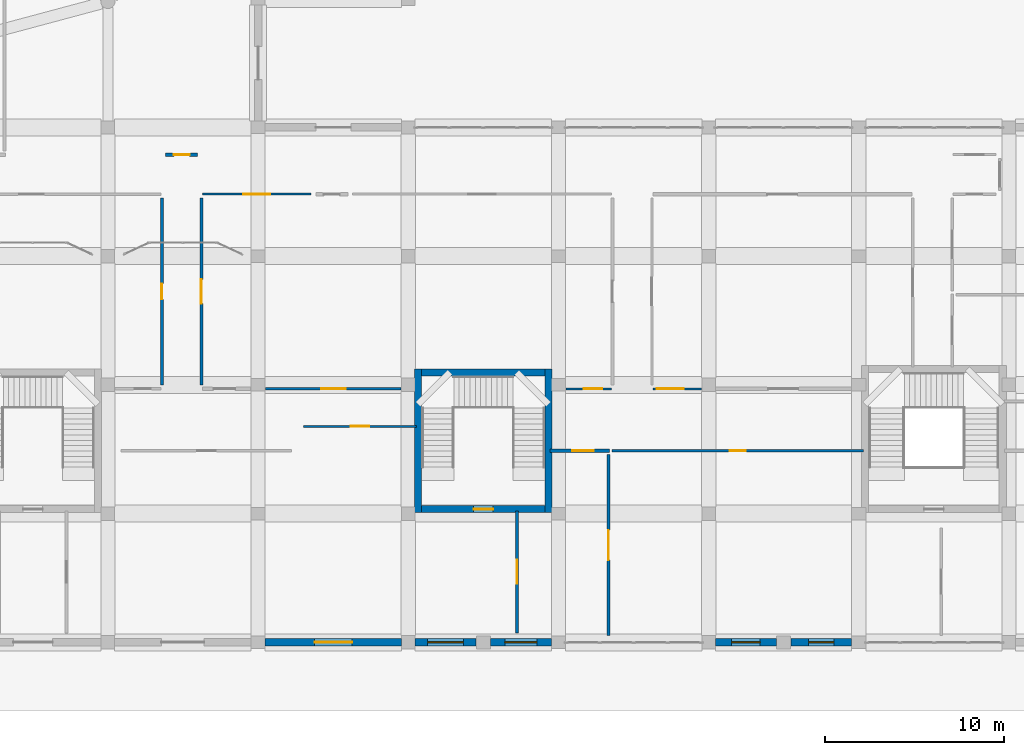
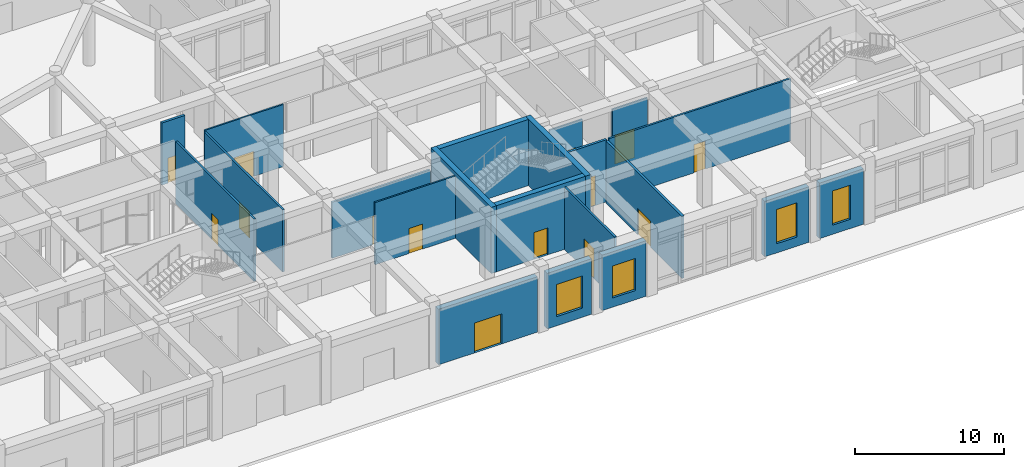
# One storey, part 67 of 84: 21 walls, 14 doors, 4 windows, 18 openings.
"""IFC4 building model written with IfcOpenShell, lengths in metres."""

import ifcopenshell
import ifcopenshell.guid

model = None  # the IFC model being written
_history = None  # IfcOwnerHistory: only IFC2X3 demands one
_inside = {}  # id of a spatial element -> (the spatial element, [elements in it])
_under = {}  # id of a project, library or spatial element -> (it, [spatial elements below it])
_declared = {}  # id of a project -> (the project, [libraries it declares])
_typed = {}  # id of a type object -> (the type object, [elements of that type])
_made_of = {}  # id of a material, layer set ... -> (it, [elements and type objects made of it])


def new_model(schema):
    """Start an empty IFC model of exactly this schema.

    Asked for "IFC4X3", IfcOpenShell would pick the latest addendum, in which some entities
    have other attributes; the version numbers below select the first issue.
    IFC2X3 requires an IfcOwnerHistory on every rooted entity: one is made here for all.
    """
    global model, _history
    if schema == "IFC4X3":
        model = ifcopenshell.file(schema_version=(4, 3, 0, 0))
    else:
        model = ifcopenshell.file(schema=schema)
    _inside.clear()
    _under.clear()
    _declared.clear()
    _typed.clear()
    _made_of.clear()
    _history = None
    if model.schema == "IFC2X3":
        org = make("IfcOrganization", Name="unknown")
        user = make(
            "IfcPersonAndOrganization",
            ThePerson=make("IfcPerson", FamilyName="unknown"),
            TheOrganization=org,
        )
        app = make(
            "IfcApplication",
            ApplicationDeveloper=org,
            Version="unknown",
            ApplicationFullName="unknown",
            ApplicationIdentifier="unknown",
        )
        _history = make(
            "IfcOwnerHistory",
            OwningUser=user,
            OwningApplication=app,
            ChangeAction="ADDED",
            CreationDate=0,
        )
    return model


def make(cls, **values):
    """One entity of the class cls with the attributes given. An attribute that is None is left unset."""
    return model.create_entity(
        cls, **{name: value for name, value in values.items() if value is not None}
    )


def rooted(cls, **values):
    """An entity with a GlobalId (a new one), such as an element, a storey or a relation."""
    return make(cls, GlobalId=ifcopenshell.guid.new(), OwnerHistory=_history, **values)


def si_unit(unit_type, name, prefix=None):
    """IfcSIUnit, for example si_unit("LENGTHUNIT", "METRE", prefix="MILLI")."""
    return make("IfcSIUnit", UnitType=unit_type, Prefix=prefix, Name=name)


def derived_unit(unit_type, elements):
    """IfcDerivedUnit: a product of units, each with its exponent."""
    return make(
        "IfcDerivedUnit",
        Elements=[
            make("IfcDerivedUnitElement", Unit=unit, Exponent=power)
            for unit, power in elements
        ],
        UnitType=unit_type,
    )


def assignment(units):
    """IfcUnitAssignment: the units of a project."""
    return None if units is None else make("IfcUnitAssignment", Units=units)


def point(xyz):
    """IfcCartesianPoint."""
    return None if xyz is None else make("IfcCartesianPoint", Coordinates=xyz)


def direction(xyz):
    """IfcDirection."""
    return None if xyz is None else make("IfcDirection", DirectionRatios=xyz)


def frame(location, z_axis=None, x_axis=None):
    """IfcAxis2Placement3D, a coordinate frame: its origin and axes. An axis left out is left unset."""
    return make(
        "IfcAxis2Placement3D",
        Location=point(location),
        Axis=direction(z_axis),
        RefDirection=direction(x_axis),
    )


def frame_2d(location, x_axis=None):
    """IfcAxis2Placement2D, a coordinate frame in the plane: its origin and x axis."""
    return make(
        "IfcAxis2Placement2D", Location=point(location), RefDirection=direction(x_axis)
    )


def origin():
    """The frame at (0, 0, 0) with its axes left unset."""
    return frame((0.0, 0.0, 0.0))


def place(relative_to, where):
    """IfcLocalPlacement: puts the frame where relative to a parent placement (None: the world)."""
    return make(
        "IfcLocalPlacement", PlacementRelTo=relative_to, RelativePlacement=where
    )


def context(
    kind, dimensions, precision=None, world=None, true_north=None, identifier=None
):
    """IfcGeometricRepresentationContext, for example the 3D "Model" context."""
    return make(
        "IfcGeometricRepresentationContext",
        ContextIdentifier=identifier,
        ContextType=kind,
        CoordinateSpaceDimension=dimensions,
        Precision=precision,
        WorldCoordinateSystem=world,
        TrueNorth=true_north,
    )


def subcontext(parent, identifier, kind, view, scale=None):
    """IfcGeometricRepresentationSubContext, for example "Body" below "Model"."""
    return make(
        "IfcGeometricRepresentationSubContext",
        ContextIdentifier=identifier,
        ContextType=kind,
        ParentContext=parent,
        TargetScale=scale,
        TargetView=view,
    )


def project(units=None, contexts=None):
    """IfcProject with its units and contexts."""
    return rooted(
        "IfcProject",
        Name="project",
        RepresentationContexts=contexts,
        UnitsInContext=assignment(units),
    )


def spatial(cls, under=None, at=None, **own):
    """A site, building, storey or space (cls), placed at a placement, below another one or the project."""
    s = rooted(cls, ObjectPlacement=at, **own)
    if under is not None:
        _under.setdefault(under.id(), (under, []))[1].append(s)
    return s


def profile(cls, at=None, kind="AREA", **sizes):
    """A parametric profile (cls). Its sizes go by their IFC names, for example OverallWidth=200.0."""
    return make(cls, ProfileType=kind, Position=at, **sizes)


def rectangle(**sizes):
    """IfcRectangleProfileDef."""
    return profile("IfcRectangleProfileDef", **sizes)


def extrude(swept, where, along, depth):
    """IfcExtrudedAreaSolid: the profile swept, set in the frame where, extruded along a direction by depth."""
    return make(
        "IfcExtrudedAreaSolid",
        SweptArea=swept,
        Position=where,
        ExtrudedDirection=direction(along),
        Depth=depth,
    )


def shape(context_of_items, identifier, shape_type, items):
    """IfcShapeRepresentation: the items that make up one representation, for example the "Body"."""
    return make(
        "IfcShapeRepresentation",
        ContextOfItems=context_of_items,
        RepresentationIdentifier=identifier,
        RepresentationType=shape_type,
        Items=items,
    )


def material(Name=None, Category=None):
    """IfcMaterial."""
    return make("IfcMaterial", Name=Name, Category=Category)


def layer(
    of_material, thickness, ventilated=None, Name=None, Category=None, Priority=None
):
    """IfcMaterialLayer: one layer of a wall or slab, of a material (None: an air gap)."""
    return make(
        "IfcMaterialLayer",
        Material=of_material,
        LayerThickness=thickness,
        IsVentilated=ventilated,
        Name=Name,
        Category=Category,
        Priority=Priority,
    )


def layer_set(layers, Name=None):
    """IfcMaterialLayerSet."""
    return make("IfcMaterialLayerSet", MaterialLayers=layers, LayerSetName=Name)


def made_of(thing, what):
    """Note that an element or type object is made of a material, layer set ...; save() writes the relation."""
    if what is not None:
        _made_of.setdefault(what.id(), (what, []))[1].append(thing)
    return thing


def type_object(cls, material=None, **own):
    """A type object (cls), such as IfcWallType, which elements share."""
    return made_of(rooted(cls, **own), material)


def element(
    cls,
    number,
    at=None,
    inside=None,
    cuts=None,
    type_object=None,
    material=None,
    context=None,
    identifier="Body",
    shape_type=None,
    held_by="IfcProductDefinitionShape",
    body=None,
    shapes=None,
    **own,
):
    """One element of the class cls, such as IfcWall. Its Tag is "e" and its number.

    at: its placement. inside: the storey or other place that contains it. cuts: it is an
    opening in that element (IfcRelVoidsElement). A single representation is given by context,
    identifier, shape_type and body (its items); several are given by shapes. held_by: the class
    of the entity that holds the representations. save() writes the other relations.
    """
    e = rooted(cls, Tag="e%d" % number, ObjectPlacement=at, **own)
    if body is not None:
        shapes = [shape(context, identifier, shape_type, body)]
    if shapes is not None:
        e.Representation = make(held_by, Representations=shapes)
    if inside is not None:
        _inside.setdefault(inside.id(), (inside, []))[1].append(e)
    if cuts is not None:
        rooted(
            "IfcRelVoidsElement", RelatingBuildingElement=cuts, RelatedOpeningElement=e
        )
    if type_object is not None:
        _typed.setdefault(type_object.id(), (type_object, []))[1].append(e)
    return made_of(e, material)


def fill(opening, filler):
    """IfcRelFillsElement: the door or window that sits in an opening."""
    return rooted(
        "IfcRelFillsElement",
        RelatingOpeningElement=opening,
        RelatedBuildingElement=filler,
    )


def aggregate(whole, parts):
    """IfcRelAggregates: a whole, such as a stair, and the parts it consists of."""
    return rooted("IfcRelAggregates", RelatingObject=whole, RelatedObjects=parts)


def save(model, path):
    """Write the relations noted so far, then the file.

    IfcRelAggregates (storeys below a building ...), IfcRelContainedInSpatialStructure (elements
    in a storey), IfcRelDefinesByType, IfcRelAssociatesMaterial and IfcRelDeclares: one each for
    every whole, place, type object, material and project.
    """
    for whole, parts in _under.values():
        aggregate(whole, parts)
    for where, things in _inside.values():
        rooted(
            "IfcRelContainedInSpatialStructure",
            RelatedElements=things,
            RelatingStructure=where,
        )
    for kind, things in _typed.values():
        rooted("IfcRelDefinesByType", RelatedObjects=things, RelatingType=kind)
    for what, things in _made_of.values():
        rooted("IfcRelAssociatesMaterial", RelatedObjects=things, RelatingMaterial=what)
    for by, libraries in _declared.values():
        rooted("IfcRelDeclares", RelatingContext=by, RelatedDefinitions=libraries)
    model.write(path)


model = new_model("IFC4")

# Units and contexts
model_context = context("Model", 3, precision=1e-05, world=origin(), true_north=direction((0.0, 1.0)))
body_context = subcontext(model_context, "Body", "Model", "MODEL_VIEW")
ifc_project = project(units=[si_unit("LENGTHUNIT", "METRE"), si_unit("AREAUNIT", "SQUARE_METRE"), si_unit("VOLUMEUNIT", "CUBIC_METRE"), si_unit("PLANEANGLEUNIT", "RADIAN"), si_unit("MASSUNIT", "GRAM", prefix="KILO"), derived_unit("THERMALTRANSMITTANCEUNIT", [(si_unit("POWERUNIT", "WATT"), 1), (si_unit("LENGTHUNIT", "METRE"), -2), (si_unit("THERMODYNAMICTEMPERATUREUNIT", "KELVIN"), -1)])], contexts=[model_context])

# Site, building, storey
site_placement = place(None, origin())
site = spatial("IfcSite", under=ifc_project, at=site_placement, CompositionType="ELEMENT")
building_placement = place(site_placement, origin())
building = spatial("IfcBuilding", under=site, at=building_placement, Name="Veybourne Emporium", CompositionType="ELEMENT")
storey_placement = place(building_placement, origin())
storey = spatial("IfcBuildingStorey", under=building, at=storey_placement, Name="L00", CompositionType="ELEMENT", Elevation=0.0)

# Wall, opening, door
ifc_material_1 = material(Name="Honed Black Granite Plinth", Category="masonry")
ifc_layer_1 = layer(ifc_material_1, 0.419921875)
ifc_layer_set_1 = layer_set([ifc_layer_1], Name="Honed Black Granite Plinth")
wall_type_1 = type_object("IfcWallType", Name="ExtWall_EW-02", PredefinedType="SOLIDWALL", material=ifc_layer_set_1)
wall_1_placement = place(storey_placement, frame((100.425048828125, 0.0, 0.0), z_axis=(0.0, 0.0, 1.0), x_axis=(-1.0, 0.0, 0.0)))
wall_1 = element("IfcWall", 1, at=wall_1_placement, inside=storey, type_object=wall_type_1, Name="Ground street granite plinth entrance wall 040", PredefinedType="SOLIDWALL", context=body_context, shape_type="SweptSolid", body=[
    extrude(rectangle(XDim=7.625, YDim=0.419921875, at=frame_2d((3.8125, 0.0))), origin(), (0.0, 0.0, 1.0), 4.530029296875),
])
opening_1_placement = place(wall_1_placement, frame((2.762451171875, 0.0, 0.0)))
opening_1 = element("IfcOpeningElement", 2, at=opening_1_placement, cuts=wall_1, Name="Opening EX-05", PredefinedType="OPENING", context=body_context, shape_type="SweptSolid", body=[
    extrude(rectangle(XDim=2.10009765625, YDim=2.449951171875, at=frame_2d((1.050048828125, 1.22509765625))), frame((0.0, 0.22998046875, 0.0), z_axis=(0.0, -1.0, 0.0), x_axis=(1.0, 0.0, 0.0)), (0.0, 0.0, 1.0), 0.4599609375),
])
ifc_material_2 = material(Name="Patinated Architectural Bronze", Category="bronze")
door_type_1 = type_object("IfcDoorType", Name="ExitDoor_EX-05", OperationType="DOUBLE_DOOR_SINGLE_SWING", PredefinedType="DOOR", material=ifc_material_2)
door_1_placement = place(opening_1_placement, origin())
door_1 = element("IfcDoor", 3, at=door_1_placement, inside=storey, type_object=door_type_1, Name="Pedestrian final exit door EX-05 #22", OperationType="DOUBLE_DOOR_SINGLE_SWING", OverallHeight=2.449951171875, OverallWidth=2.10009765625, PredefinedType="DOOR", context=body_context, shape_type="SweptSolid", body=[
    extrude(rectangle(XDim=2.10009765625, YDim=2.449951171875, at=frame_2d((1.050048828125, 1.22509765625))), frame((0.0, 0.02490234375, 0.0), z_axis=(0.0, -1.0, 0.0), x_axis=(1.0, 0.0, 0.0)), (0.0, 0.0, 1.0), 0.050048828125),
])
fill(opening_1, door_1)

# Wall, opening, window
wall_2_placement = place(storey_placement, frame((108.800048828125, 0.0, 0.0), z_axis=(0.0, 0.0, 1.0), x_axis=(-1.0, 0.0, 0.0)))
wall_2 = element("IfcWall", 4, at=wall_2_placement, inside=storey, type_object=wall_type_1, Name="L00 Portland stone external wall 053A", PredefinedType="SOLIDWALL", context=body_context, shape_type="SweptSolid", body=[
    extrude(rectangle(XDim=3.400146484375, YDim=0.419921875, at=frame_2d((1.7001953125, 0.0))), origin(), (0.0, 0.0, 1.0), 4.530029296875),
])
opening_2_placement = place(wall_2_placement, frame((0.800048828125, 0.0, 0.75)))
opening_2 = element("IfcOpeningElement", 5, at=opening_2_placement, cuts=wall_2, Name="Opening W-36", PredefinedType="OPENING", context=body_context, shape_type="SweptSolid", body=[
    extrude(rectangle(XDim=1.800048828125, YDim=2.6201171875, at=frame_2d((0.89990234375, 1.31005859375))), frame((0.0, 0.22998046875, 0.0), z_axis=(0.0, -1.0, 0.0), x_axis=(1.0, 0.0, 0.0)), (0.0, 0.0, 1.0), 0.4599609375),
])
ifc_material_3 = material(Name="Low-E Triple Glazing", Category="glass")
window_type_1 = type_object("IfcWindowType", Name="Win_W-36", PartitioningType="DOUBLE_PANEL_VERTICAL", PredefinedType="WINDOW", material=ifc_material_3)
window_1_placement = place(opening_2_placement, origin())
window_1 = element("IfcWindow", 6, at=window_1_placement, inside=storey, type_object=window_type_1, Name="L00 tripartite bronze casement window W-36 (53A)", OverallHeight=2.6201171875, OverallWidth=1.800048828125, PartitioningType="DOUBLE_PANEL_VERTICAL", PredefinedType="WINDOW", context=body_context, shape_type="SweptSolid", body=[
    extrude(rectangle(XDim=1.800048828125, YDim=2.6201171875, at=frame_2d((0.89990234375, 1.31005859375))), frame((0.0, 0.030029296875, 0.0), z_axis=(0.0, -1.0, 0.0), x_axis=(1.0, 0.0, 0.0)), (0.0, 0.0, 1.0), 0.06005859375),
])
fill(opening_2, window_1)

wall_3_placement = place(storey_placement, frame((104.60009765625, 0.0, 0.0), z_axis=(0.0, 0.0, 1.0), x_axis=(-1.0, 0.0, 0.0)))
wall_3 = element("IfcWall", 7, at=wall_3_placement, inside=storey, type_object=wall_type_1, Name="L00 Portland stone external wall 053B", PredefinedType="SOLIDWALL", context=body_context, shape_type="SweptSolid", body=[
    extrude(rectangle(XDim=3.425048828125, YDim=0.419921875, at=frame_2d((1.71240234375, 0.0))), origin(), (0.0, 0.0, 1.0), 4.530029296875),
])
opening_3_placement = place(wall_3_placement, frame((0.71240234375, 0.0, 0.75)))
opening_3 = element("IfcOpeningElement", 8, at=opening_3_placement, cuts=wall_3, Name="Opening W-37", PredefinedType="OPENING", context=body_context, shape_type="SweptSolid", body=[
    extrude(rectangle(XDim=2.0, YDim=2.6201171875, at=frame_2d((1.0, 1.31005859375))), frame((0.0, 0.22998046875, 0.0), z_axis=(0.0, -1.0, 0.0), x_axis=(1.0, 0.0, 0.0)), (0.0, 0.0, 1.0), 0.4599609375),
])
window_type_2 = type_object("IfcWindowType", Name="Win_W-37", PartitioningType="TRIPLE_PANEL_VERTICAL", PredefinedType="WINDOW", material=ifc_material_3)
window_2_placement = place(opening_3_placement, origin())
window_2 = element("IfcWindow", 9, at=window_2_placement, inside=storey, type_object=window_type_2, Name="L00 tripartite bronze casement window W-37 (53B)", OverallHeight=2.6201171875, OverallWidth=2.0, PartitioningType="TRIPLE_PANEL_VERTICAL", PredefinedType="WINDOW", context=body_context, shape_type="SweptSolid", body=[
    extrude(rectangle(XDim=2.0, YDim=2.6201171875, at=frame_2d((1.0, 1.31005859375))), frame((0.0, 0.030029296875, 0.0), z_axis=(0.0, -1.0, 0.0), x_axis=(1.0, 0.0, 0.0)), (0.0, 0.0, 1.0), 0.06005859375),
])
fill(opening_3, window_2)

wall_4_placement = place(storey_placement, frame((125.60009765625, 0.0, 0.0), z_axis=(0.0, 0.0, 1.0), x_axis=(-1.0, 0.0, 0.0)))
wall_4 = element("IfcWall", 10, at=wall_4_placement, inside=storey, type_object=wall_type_1, Name="L00 Portland stone external wall 063A", PredefinedType="SOLIDWALL", context=body_context, shape_type="SweptSolid", body=[
    extrude(rectangle(XDim=3.400146484375, YDim=0.419921875, at=frame_2d((1.7001953125, 0.0))), origin(), (0.0, 0.0, 1.0), 4.530029296875),
])
opening_4_placement = place(wall_4_placement, frame((1.0, 0.0, 0.75)))
opening_4 = element("IfcOpeningElement", 11, at=opening_4_placement, cuts=wall_4, Name="Opening W-42", PredefinedType="OPENING", context=body_context, shape_type="SweptSolid", body=[
    extrude(rectangle(XDim=1.39990234375, YDim=2.800048828125, at=frame_2d((0.699951171875, 1.39990234375))), frame((0.0, 0.22998046875, 0.0), z_axis=(0.0, -1.0, 0.0), x_axis=(1.0, 0.0, 0.0)), (0.0, 0.0, 1.0), 0.4599609375),
])
window_type_3 = type_object("IfcWindowType", Name="Win_W-42", PartitioningType="DOUBLE_PANEL_VERTICAL", PredefinedType="WINDOW", material=ifc_material_3)
window_3_placement = place(opening_4_placement, origin())
window_3 = element("IfcWindow", 12, at=window_3_placement, inside=storey, type_object=window_type_3, Name="L00 tripartite bronze casement window W-42 (63A)", OverallHeight=2.800048828125, OverallWidth=1.39990234375, PartitioningType="DOUBLE_PANEL_VERTICAL", PredefinedType="WINDOW", context=body_context, shape_type="SweptSolid", body=[
    extrude(rectangle(XDim=1.39990234375, YDim=2.800048828125, at=frame_2d((0.699951171875, 1.39990234375))), frame((0.0, 0.030029296875, 0.0), z_axis=(0.0, -1.0, 0.0), x_axis=(1.0, 0.0, 0.0)), (0.0, 0.0, 1.0), 0.06005859375),
])
fill(opening_4, window_3)

wall_5_placement = place(storey_placement, frame((121.39990234375, 0.0, 0.0), z_axis=(0.0, 0.0, 1.0), x_axis=(-1.0, 0.0, 0.0)))
wall_5 = element("IfcWall", 13, at=wall_5_placement, inside=storey, type_object=wall_type_1, Name="L00 Portland stone external wall 063B", PredefinedType="SOLIDWALL", context=body_context, shape_type="SweptSolid", body=[
    extrude(rectangle(XDim=3.4248046875, YDim=0.419921875, at=frame_2d((1.71240234375, 0.0))), origin(), (0.0, 0.0, 1.0), 4.530029296875),
])
opening_5_placement = place(wall_5_placement, frame((0.91259765625, 0.0, 0.75)))
opening_5 = element("IfcOpeningElement", 14, at=opening_5_placement, cuts=wall_5, Name="Opening W-43", PredefinedType="OPENING", context=body_context, shape_type="SweptSolid", body=[
    extrude(rectangle(XDim=1.60009765625, YDim=2.800048828125, at=frame_2d((0.800048828125, 1.39990234375))), frame((0.0, 0.22998046875, 0.0), z_axis=(0.0, -1.0, 0.0), x_axis=(1.0, 0.0, 0.0)), (0.0, 0.0, 1.0), 0.4599609375),
])
window_type_4 = type_object("IfcWindowType", Name="Win_W-43", PartitioningType="DOUBLE_PANEL_VERTICAL", PredefinedType="WINDOW", material=ifc_material_3)
window_4_placement = place(opening_5_placement, origin())
window_4 = element("IfcWindow", 15, at=window_4_placement, inside=storey, type_object=window_type_4, Name="L00 tripartite bronze casement window W-43 (63B)", OverallHeight=2.800048828125, OverallWidth=1.60009765625, PartitioningType="DOUBLE_PANEL_VERTICAL", PredefinedType="WINDOW", context=body_context, shape_type="SweptSolid", body=[
    extrude(rectangle(XDim=1.60009765625, YDim=2.800048828125, at=frame_2d((0.800048828125, 1.39990234375))), frame((0.0, 0.030029296875, 0.0), z_axis=(0.0, -1.0, 0.0), x_axis=(1.0, 0.0, 0.0)), (0.0, 0.0, 1.0), 0.06005859375),
])
fill(opening_5, window_4)

# Wall, opening, door
ifc_material_4 = material(Name="Concrete C40/50", Category="concrete")
ifc_layer_2 = layer(ifc_material_4, 0.39990234375)
ifc_layer_set_2 = layer_set([ifc_layer_2], Name="Concrete C40/50")
wall_type_2 = type_object("IfcWallType", Name="IntWall_CW-01", PredefinedType="SHEAR", material=ifc_layer_set_2)
wall_6_placement = place(storey_placement, frame((108.449951171875, 7.449951171875, 0.0), z_axis=(0.0, 0.0, 1.0), x_axis=(-1.0, 0.0, 0.0)))
wall_6 = element("IfcWall", 16, at=wall_6_placement, inside=storey, type_object=wall_type_2, Name="Core stair ST-11 south shear wall (L00)", PredefinedType="SHEAR", context=body_context, shape_type="SweptSolid", body=[
    extrude(rectangle(XDim=6.89990234375, YDim=0.39990234375, at=frame_2d((3.449951171875, 0.0))), origin(), (0.0, 0.0, 1.0), 5.39990234375),
])
opening_6_placement = place(wall_6_placement, frame((2.89990234375, 0.0, 0.0)))
opening_6 = element("IfcOpeningElement", 17, at=opening_6_placement, cuts=wall_6, Name="Opening FD-01", PredefinedType="OPENING", context=body_context, shape_type="SweptSolid", body=[
    extrude(rectangle(XDim=1.10009765625, YDim=2.199951171875, at=frame_2d((0.550048828125, 1.10009765625))), frame((0.0, 0.219970703125, 0.0), z_axis=(0.0, -1.0, 0.0), x_axis=(1.0, 0.0, 0.0)), (0.0, 0.0, 1.0), 0.43994140625),
])
door_type_2 = type_object("IfcDoorType", Name="FireDoor_FD-01", OperationType="NOTDEFINED", PredefinedType="DOOR", material=ifc_material_2)
door_2_placement = place(opening_6_placement, origin())
door_2 = element("IfcDoor", 18, at=door_2_placement, inside=storey, type_object=door_type_2, Name="Stair ST-11 fire door (L00)", OperationType="SINGLE_SWING_RIGHT", OverallHeight=2.199951171875, OverallWidth=1.10009765625, PredefinedType="DOOR", context=body_context, shape_type="SweptSolid", body=[
    extrude(rectangle(XDim=1.10009765625, YDim=2.199951171875, at=frame_2d((0.550048828125, 1.10009765625))), frame((0.0, 0.02490234375, 0.0), z_axis=(0.0, -1.0, 0.0), x_axis=(1.0, 0.0, 0.0)), (0.0, 0.0, 1.0), 0.050048828125),
])
fill(opening_6, door_2)

# Walls
wall_7_placement = place(storey_placement, frame((101.550048828125, 15.10009765625, 0.0), z_axis=(0.0, 0.0, 1.0), x_axis=(1.0, 0.0, 0.0)))
element("IfcWall", 19, at=wall_7_placement, inside=storey, type_object=wall_type_2, Name="Core stair ST-11 north shear wall (L00)", PredefinedType="SHEAR", context=body_context, shape_type="SweptSolid", body=[
    extrude(rectangle(XDim=6.89990234375, YDim=0.39990234375, at=frame_2d((3.449951171875, 0.0))), origin(), (0.0, 0.0, 1.0), 5.39990234375),
])
for number, where, z_axis, x_axis, name in (
    (20, (101.35009765625, 15.300048828125, 0.0), (0.0, 0.0, 1.0), (0.0, -1.0, 0.0), "Core stair ST-11 west shear wall (L00)"),
    (21, (108.64990234375, 7.25, 0.0), (0.0, 0.0, 1.0), (0.0, 1.0, 0.0), "Core stair ST-11 east shear wall (L00)"),
):
    element("IfcWall", number, at=place(storey_placement, frame(where, z_axis=z_axis, x_axis=x_axis)), inside=storey, type_object=wall_type_2, Name=name, PredefinedType="SHEAR", context=body_context, shape_type="SweptSolid", body=[
        extrude(rectangle(XDim=8.050048828125, YDim=0.39990234375, at=frame_2d((4.02490234375, 0.0))), origin(), (0.0, 0.0, 1.0), 5.39990234375),
    ])

# Wall, opening, door
ifc_material_5 = material(Name="Gypsum Acoustic Board", Category="gypsum")
ifc_layer_3 = layer(ifc_material_5, 0.179931640625)
ifc_layer_set_3 = layer_set([ifc_layer_3], Name="Gypsum Acoustic Board")
wall_type_3 = type_object("IfcWallType", Name="IntWall_IW-01", PredefinedType="PARTITIONING", material=ifc_layer_set_3)
wall_8_placement = place(storey_placement, frame((112.0, 0.3701171875, 0.0), z_axis=(0.0, 0.0, 1.0), x_axis=(0.0, 1.0, 0.0)))
wall_8 = element("IfcWall", 22, at=wall_8_placement, inside=storey, type_object=wall_type_3, Name="L00 interior partition IW-01 #080", PredefinedType="PARTITIONING", context=body_context, shape_type="SweptSolid", body=[
    extrude(rectangle(XDim=10.139892578125, YDim=0.179931640625, at=frame_2d((5.06982421875, 0.0))), origin(), (0.0, 0.0, 1.0), 5.080078125),
])
opening_7_placement = place(wall_8_placement, frame((4.22998046875, 0.0, 0.0)))
opening_7 = element("IfcOpeningElement", 23, at=opening_7_placement, cuts=wall_8, Name="Opening D-12", PredefinedType="OPENING", context=body_context, shape_type="SweptSolid", body=[
    extrude(rectangle(XDim=1.679931640625, YDim=2.1298828125, at=frame_2d((0.83984375, 1.06494140625))), frame((0.0, 0.10986328125, 0.0), z_axis=(0.0, -1.0, 0.0), x_axis=(1.0, 0.0, 0.0)), (0.0, 0.0, 1.0), 0.219970703125),
])
ifc_material_6 = material(Name="European Oak Veneer and Bronze", Category="wood")
door_type_3 = type_object("IfcDoorType", Name="IntDoor_D-12", OperationType="DOUBLE_DOOR_SINGLE_SWING", PredefinedType="DOOR", material=ifc_material_6)
door_3_placement = place(opening_7_placement, origin())
door_3 = element("IfcDoor", 24, at=door_3_placement, inside=storey, type_object=door_type_3, Name="L00 interior door D-12 (PART-L00-080)", OperationType="DOUBLE_DOOR_SINGLE_SWING", OverallHeight=2.1298828125, OverallWidth=1.679931640625, PredefinedType="DOOR", context=body_context, shape_type="SweptSolid", body=[
    extrude(rectangle(XDim=1.679931640625, YDim=2.1298828125, at=frame_2d((0.83984375, 1.06494140625))), frame((0.0, 0.02490234375, 0.0), z_axis=(0.0, -1.0, 0.0), x_axis=(1.0, 0.0, 0.0)), (0.0, 0.0, 1.0), 0.050048828125),
])
fill(opening_7, door_3)

wall_9_placement = place(storey_placement, frame((108.739990234375, 10.719970703125, 0.0), z_axis=(0.0, 0.0, 1.0), x_axis=(1.0, 0.0, 0.0)))
wall_9 = element("IfcWall", 25, at=wall_9_placement, inside=storey, type_object=wall_type_3, Name="L00 interior partition IW-01 #137", PredefinedType="PARTITIONING", context=body_context, shape_type="SweptSolid", body=[
    extrude(rectangle(XDim=3.31005859375, YDim=0.179931640625, at=frame_2d((1.655029296875, 0.0))), origin(), (0.0, 0.0, 1.0), 5.080078125),
])
opening_8_placement = place(wall_9_placement, frame((1.223876953125, 0.0, 0.0)))
opening_8 = element("IfcOpeningElement", 26, at=opening_8_placement, cuts=wall_9, Name="Opening D-33", PredefinedType="OPENING", context=body_context, shape_type="SweptSolid", body=[
    extrude(rectangle(XDim=1.199951171875, YDim=2.449951171875, at=frame_2d((0.60009765625, 1.22509765625))), frame((0.0, 0.10986328125, 0.0), z_axis=(0.0, -1.0, 0.0), x_axis=(1.0, 0.0, 0.0)), (0.0, 0.0, 1.0), 0.219970703125),
])
door_type_4 = type_object("IfcDoorType", Name="IntDoor_D-33", OperationType="NOTDEFINED", PredefinedType="DOOR", material=ifc_material_6)
door_4_placement = place(opening_8_placement, frame((1.199951171875, 0.0, 0.0), z_axis=(0.0, 0.0, 1.0), x_axis=(-1.0, 0.0, 0.0)))
door_4 = element("IfcDoor", 27, at=door_4_placement, inside=storey, type_object=door_type_4, Name="L00 interior door D-33 (PART-L00-137)", OperationType="SINGLE_SWING_LEFT", OverallHeight=2.449951171875, OverallWidth=1.199951171875, PredefinedType="DOOR", context=body_context, shape_type="SweptSolid", body=[
    extrude(rectangle(XDim=1.199951171875, YDim=2.449951171875, at=frame_2d((0.60009765625, 1.22509765625))), frame((0.0, 0.02490234375, 0.0), z_axis=(0.0, -1.0, 0.0), x_axis=(1.0, 0.0, 0.0)), (0.0, 0.0, 1.0), 0.050048828125),
])
fill(opening_8, door_4)

wall_10_placement = place(storey_placement, frame((87.22998046875, 27.280029296875, 0.0), z_axis=(0.0, 0.0, 1.0), x_axis=(1.0, 0.0, 0.0)))
wall_10 = element("IfcWall", 28, at=wall_10_placement, inside=storey, type_object=wall_type_3, Name="L00 interior partition IW-01 #182", PredefinedType="PARTITIONING", context=body_context, shape_type="SweptSolid", body=[
    extrude(rectangle(XDim=1.7900390625, YDim=0.179931640625, at=frame_2d((0.89501953125, 0.0))), origin(), (0.0, 0.0, 1.0), 5.080078125),
])
opening_9_placement = place(wall_10_placement, frame((0.455078125, 0.0, 0.0)))
opening_9 = element("IfcOpeningElement", 29, at=opening_9_placement, cuts=wall_10, Name="Opening D-01", PredefinedType="OPENING", context=body_context, shape_type="SweptSolid", body=[
    extrude(rectangle(XDim=0.8798828125, YDim=2.050048828125, at=frame_2d((0.43994140625, 1.02490234375))), frame((0.0, 0.10986328125, 0.0), z_axis=(0.0, -1.0, 0.0), x_axis=(1.0, 0.0, 0.0)), (0.0, 0.0, 1.0), 0.219970703125),
])
door_type_5 = type_object("IfcDoorType", Name="IntDoor_D-01", OperationType="NOTDEFINED", PredefinedType="DOOR", material=ifc_material_6)
door_5_placement = place(opening_9_placement, origin())
door_5 = element("IfcDoor", 30, at=door_5_placement, inside=storey, type_object=door_type_5, Name="L00 interior door D-01 (PART-L00-182)", OperationType="SINGLE_SWING_LEFT", OverallHeight=2.050048828125, OverallWidth=0.8798828125, PredefinedType="DOOR", context=body_context, shape_type="SweptSolid", body=[
    extrude(rectangle(XDim=0.8798828125, YDim=2.050048828125, at=frame_2d((0.43994140625, 1.02490234375))), frame((0.0, 0.02490234375, 0.0), z_axis=(0.0, -1.0, 0.0), x_axis=(1.0, 0.0, 0.0)), (0.0, 0.0, 1.0), 0.050048828125),
])
fill(opening_9, door_5)

ifc_layer_4 = layer(ifc_material_5, 0.14990234375)
ifc_layer_set_4 = layer_set([ifc_layer_4], Name="Gypsum Acoustic Board")
wall_type_4 = type_object("IfcWallType", Name="IntWall_IW-02", PredefinedType="PARTITIONING", material=ifc_layer_set_4)
wall_11_placement = place(storey_placement, frame((112.2099609375, 10.719970703125, 0.0), z_axis=(0.0, 0.0, 1.0), x_axis=(1.0, 0.0, 0.0)))
wall_11 = element("IfcWall", 31, at=wall_11_placement, inside=storey, type_object=wall_type_4, Name="L00 interior partition IW-02 #051", PredefinedType="PARTITIONING", context=body_context, shape_type="SweptSolid", body=[
    extrude(rectangle(XDim=14.050048828125, YDim=0.14990234375, at=frame_2d((7.02490234375, 0.0))), origin(), (0.0, 0.0, 1.0), 5.080078125),
])
opening_10_placement = place(wall_11_placement, frame((6.5849609375, 0.0, 0.0)))
opening_10 = element("IfcOpeningElement", 32, at=opening_10_placement, cuts=wall_11, Name="Opening D-19", PredefinedType="OPENING", context=body_context, shape_type="SweptSolid", body=[
    extrude(rectangle(XDim=0.8798828125, YDim=2.2900390625, at=frame_2d((0.43994140625, 1.14501953125))), frame((0.0, 0.094970703125, 0.0), z_axis=(0.0, -1.0, 0.0), x_axis=(1.0, 0.0, 0.0)), (0.0, 0.0, 1.0), 0.18994140625),
])
door_type_6 = type_object("IfcDoorType", Name="IntDoor_D-19", OperationType="NOTDEFINED", PredefinedType="DOOR", material=ifc_material_6)
door_6_placement = place(opening_10_placement, frame((0.8798828125, 0.0, 0.0), z_axis=(0.0, 0.0, 1.0), x_axis=(-1.0, 0.0, 0.0)))
door_6 = element("IfcDoor", 33, at=door_6_placement, inside=storey, type_object=door_type_6, Name="L00 interior door D-19 (PART-L00-051)", OperationType="SINGLE_SWING_RIGHT", OverallHeight=2.2900390625, OverallWidth=0.8798828125, PredefinedType="DOOR", context=body_context, shape_type="SweptSolid", body=[
    extrude(rectangle(XDim=0.8798828125, YDim=2.2900390625, at=frame_2d((0.43994140625, 1.14501953125))), frame((0.0, 0.02490234375, 0.0), z_axis=(0.0, -1.0, 0.0), x_axis=(1.0, 0.0, 0.0)), (0.0, 0.0, 1.0), 0.050048828125),
])
fill(opening_10, door_6)

wall_12_placement = place(storey_placement, frame((92.820068359375, 14.179931640625, 0.0), z_axis=(0.0, 0.0, 1.0), x_axis=(1.0, 0.0, 0.0)))
wall_12 = element("IfcWall", 34, at=wall_12_placement, inside=storey, type_object=wall_type_4, Name="L00 interior partition IW-02 #060", PredefinedType="PARTITIONING", context=body_context, shape_type="SweptSolid", body=[
    extrude(rectangle(XDim=7.5849609375, YDim=0.14990234375, at=frame_2d((3.79248046875, 0.0))), origin(), (0.0, 0.0, 1.0), 4.580078125),
])
opening_11_placement = place(wall_12_placement, frame((3.112548828125, 0.0, 0.0)))
opening_11 = element("IfcOpeningElement", 35, at=opening_11_placement, cuts=wall_12, Name="Opening D-28", PredefinedType="OPENING", context=body_context, shape_type="SweptSolid", body=[
    extrude(rectangle(XDim=1.360107421875, YDim=2.3701171875, at=frame_2d((0.68017578125, 1.18505859375))), frame((0.0, 0.094970703125, 0.0), z_axis=(0.0, -1.0, 0.0), x_axis=(1.0, 0.0, 0.0)), (0.0, 0.0, 1.0), 0.18994140625),
])
door_type_7 = type_object("IfcDoorType", Name="IntDoor_D-28", OperationType="NOTDEFINED", PredefinedType="DOOR", material=ifc_material_6)
door_7_placement = place(opening_11_placement, origin())
door_7 = element("IfcDoor", 36, at=door_7_placement, inside=storey, type_object=door_type_7, Name="L00 interior door D-28 (PART-L00-060)", OperationType="SINGLE_SWING_RIGHT", OverallHeight=2.3701171875, OverallWidth=1.360107421875, PredefinedType="DOOR", context=body_context, shape_type="SweptSolid", body=[
    extrude(rectangle(XDim=1.360107421875, YDim=2.3701171875, at=frame_2d((0.68017578125, 1.18505859375))), frame((0.0, 0.02490234375, 0.0), z_axis=(0.0, -1.0, 0.0), x_axis=(1.0, 0.0, 0.0)), (0.0, 0.0, 1.0), 0.050048828125),
])
fill(opening_11, door_7)

wall_13_placement = place(storey_placement, frame((87.02001953125, 14.389892578125, 0.0), z_axis=(0.0, 0.0, 1.0), x_axis=(0.0, 1.0, 0.0)))
wall_13 = element("IfcWall", 37, at=wall_13_placement, inside=storey, type_object=wall_type_4, Name="L00 interior partition IW-02 #075", PredefinedType="PARTITIONING", context=body_context, shape_type="SweptSolid", body=[
    extrude(rectangle(XDim=10.47021484375, YDim=0.14990234375, at=frame_2d((5.235107421875, 0.0))), origin(), (0.0, 0.0, 1.0), 5.080078125),
])
opening_12_placement = place(wall_13_placement, frame((4.794921875, 0.0, 0.0)))
opening_12 = element("IfcOpeningElement", 38, at=opening_12_placement, cuts=wall_13, Name="Opening D-07", PredefinedType="OPENING", context=body_context, shape_type="SweptSolid", body=[
    extrude(rectangle(XDim=0.8798828125, YDim=2.1298828125, at=frame_2d((0.43994140625, 1.06494140625))), frame((0.0, 0.094970703125, 0.0), z_axis=(0.0, -1.0, 0.0), x_axis=(1.0, 0.0, 0.0)), (0.0, 0.0, 1.0), 0.18994140625),
])
door_type_8 = type_object("IfcDoorType", Name="IntDoor_D-07", OperationType="NOTDEFINED", PredefinedType="DOOR", material=ifc_material_6)
door_8_placement = place(opening_12_placement, origin())
door_8 = element("IfcDoor", 39, at=door_8_placement, inside=storey, type_object=door_type_8, Name="L00 interior door D-07 (PART-L00-075)", OperationType="SINGLE_SWING_RIGHT", OverallHeight=2.1298828125, OverallWidth=0.8798828125, PredefinedType="DOOR", context=body_context, shape_type="SweptSolid", body=[
    extrude(rectangle(XDim=0.8798828125, YDim=2.1298828125, at=frame_2d((0.43994140625, 1.06494140625))), frame((0.0, 0.02490234375, 0.0), z_axis=(0.0, -1.0, 0.0), x_axis=(1.0, 0.0, 0.0)), (0.0, 0.0, 1.0), 0.050048828125),
])
fill(opening_12, door_8)

wall_14_placement = place(storey_placement, frame((89.22998046875, 14.389892578125, 0.0), z_axis=(0.0, 0.0, 1.0), x_axis=(0.0, 1.0, 0.0)))
wall_14 = element("IfcWall", 40, at=wall_14_placement, inside=storey, type_object=wall_type_4, Name="L00 interior partition IW-02 #078", PredefinedType="PARTITIONING", context=body_context, shape_type="SweptSolid", body=[
    extrude(rectangle(XDim=10.47021484375, YDim=0.14990234375, at=frame_2d((5.235107421875, 0.0))), origin(), (0.0, 0.0, 1.0), 5.080078125),
])
opening_13_placement = place(wall_14_placement, frame((4.554931640625, 0.0, 0.0)))
opening_13 = element("IfcOpeningElement", 41, at=opening_13_placement, cuts=wall_14, Name="Opening D-10", PredefinedType="OPENING", context=body_context, shape_type="SweptSolid", body=[
    extrude(rectangle(XDim=1.360107421875, YDim=2.1298828125, at=frame_2d((0.68017578125, 1.06494140625))), frame((0.0, 0.094970703125, 0.0), z_axis=(0.0, -1.0, 0.0), x_axis=(1.0, 0.0, 0.0)), (0.0, 0.0, 1.0), 0.18994140625),
])
door_type_9 = type_object("IfcDoorType", Name="IntDoor_D-10", OperationType="NOTDEFINED", PredefinedType="DOOR", material=ifc_material_6)
door_9_placement = place(opening_13_placement, frame((1.360107421875, 0.0, 0.0), z_axis=(0.0, 0.0, 1.0), x_axis=(-1.0, 0.0, 0.0)))
door_9 = element("IfcDoor", 42, at=door_9_placement, inside=storey, type_object=door_type_9, Name="L00 interior door D-10 (PART-L00-078)", OperationType="SINGLE_SWING_LEFT", OverallHeight=2.1298828125, OverallWidth=1.360107421875, PredefinedType="DOOR", context=body_context, shape_type="SweptSolid", body=[
    extrude(rectangle(XDim=1.360107421875, YDim=2.1298828125, at=frame_2d((0.68017578125, 1.06494140625))), frame((0.0, 0.02490234375, 0.0), z_axis=(0.0, -1.0, 0.0), x_axis=(1.0, 0.0, 0.0)), (0.0, 0.0, 1.0), 0.050048828125),
])
fill(opening_13, door_9)

wall_15_placement = place(storey_placement, frame((106.8798828125, 0.530029296875, 0.0), z_axis=(0.0, 0.0, 1.0), x_axis=(0.0, 1.0, 0.0)))
wall_15 = element("IfcWall", 43, at=wall_15_placement, inside=storey, type_object=wall_type_4, Name="L00 interior partition IW-02 #102", PredefinedType="PARTITIONING", context=body_context, shape_type="SweptSolid", body=[
    extrude(rectangle(XDim=6.830078125, YDim=0.14990234375, at=frame_2d((3.4150390625, 0.0))), origin(), (0.0, 0.0, 1.0), 5.080078125),
])
opening_14_placement = place(wall_15_placement, frame((2.735107421875, 0.0, 0.0)))
opening_14 = element("IfcOpeningElement", 44, at=opening_14_placement, cuts=wall_15, Name="Opening D-34", PredefinedType="OPENING", context=body_context, shape_type="SweptSolid", body=[
    extrude(rectangle(XDim=1.360107421875, YDim=2.449951171875, at=frame_2d((0.68017578125, 1.22509765625))), frame((0.0, 0.094970703125, 0.0), z_axis=(0.0, -1.0, 0.0), x_axis=(1.0, 0.0, 0.0)), (0.0, 0.0, 1.0), 0.18994140625),
])
door_type_10 = type_object("IfcDoorType", Name="IntDoor_D-34", OperationType="NOTDEFINED", PredefinedType="DOOR", material=ifc_material_6)
door_10_placement = place(opening_14_placement, frame((1.360107421875, 0.0, 0.0), z_axis=(0.0, 0.0, 1.0), x_axis=(-1.0, 0.0, 0.0)))
door_10 = element("IfcDoor", 45, at=door_10_placement, inside=storey, type_object=door_type_10, Name="L00 interior door D-34 (PART-L00-102)", OperationType="SINGLE_SWING_RIGHT", OverallHeight=2.449951171875, OverallWidth=1.360107421875, PredefinedType="DOOR", context=body_context, shape_type="SweptSolid", body=[
    extrude(rectangle(XDim=1.360107421875, YDim=2.449951171875, at=frame_2d((0.68017578125, 1.22509765625))), frame((0.0, 0.02490234375, 0.0), z_axis=(0.0, -1.0, 0.0), x_axis=(1.0, 0.0, 0.0)), (0.0, 0.0, 1.0), 0.050048828125),
])
fill(opening_14, door_10)

ifc_layer_5 = layer(ifc_material_5, 0.1201171875)
ifc_layer_set_5 = layer_set([ifc_layer_5], Name="Gypsum Acoustic Board")
wall_type_5 = type_object("IfcWallType", Name="IntWall_IW-03", PredefinedType="PARTITIONING", material=ifc_layer_set_5)
wall_16_placement = place(storey_placement, frame((114.47998046875, 14.179931640625, 0.0), z_axis=(0.0, 0.0, 1.0), x_axis=(1.0, 0.0, 0.0)))
wall_16 = element("IfcWall", 46, at=wall_16_placement, inside=storey, type_object=wall_type_5, Name="L00 interior partition IW-03 #061", PredefinedType="PARTITIONING", context=body_context, shape_type="SweptSolid", body=[
    extrude(rectangle(XDim=2.72509765625, YDim=0.1201171875, at=frame_2d((1.362548828125, 0.0))), origin(), (0.0, 0.0, 1.0), 4.580078125),
])
opening_15_placement = place(wall_16_placement, frame((0.216796875, 0.0, 0.0)))
opening_15 = element("IfcOpeningElement", 47, at=opening_15_placement, cuts=wall_16, Name="Opening D-29", PredefinedType="OPENING", context=body_context, shape_type="SweptSolid", body=[
    extrude(rectangle(XDim=1.52001953125, YDim=2.3701171875, at=frame_2d((0.760009765625, 1.18505859375))), frame((0.0, 0.080078125, 0.0), z_axis=(0.0, -1.0, 0.0), x_axis=(1.0, 0.0, 0.0)), (0.0, 0.0, 1.0), 0.16015625),
])
door_type_11 = type_object("IfcDoorType", Name="IntDoor_D-29", OperationType="NOTDEFINED", PredefinedType="DOOR", material=ifc_material_6)
door_11_placement = place(opening_15_placement, origin())
door_11 = element("IfcDoor", 48, at=door_11_placement, inside=storey, type_object=door_type_11, Name="L00 interior door D-29 (PART-L00-061)", OperationType="SINGLE_SWING_LEFT", OverallHeight=2.3701171875, OverallWidth=1.52001953125, PredefinedType="DOOR", context=body_context, shape_type="SweptSolid", body=[
    extrude(rectangle(XDim=1.52001953125, YDim=2.3701171875, at=frame_2d((0.760009765625, 1.18505859375))), frame((0.0, 0.02490234375, 0.0), z_axis=(0.0, -1.0, 0.0), x_axis=(1.0, 0.0, 0.0)), (0.0, 0.0, 1.0), 0.050048828125),
])
fill(opening_15, door_11)

wall_17_placement = place(storey_placement, frame((94.929931640625, 12.080078125, 0.0), z_axis=(0.0, 0.0, 1.0), x_axis=(1.0, 0.0, 0.0)))
wall_17 = element("IfcWall", 49, at=wall_17_placement, inside=storey, type_object=wall_type_5, Name="L00 interior partition IW-03 #106", PredefinedType="PARTITIONING", context=body_context, shape_type="SweptSolid", body=[
    extrude(rectangle(XDim=6.330078125, YDim=0.1201171875, at=frame_2d((3.1650390625, 0.0))), origin(), (0.0, 0.0, 1.0), 5.080078125),
])
opening_16_placement = place(wall_17_placement, frame((2.64501953125, 0.0, 0.0)))
opening_16 = element("IfcOpeningElement", 50, at=opening_16_placement, cuts=wall_17, Name="Opening D-02", PredefinedType="OPENING", context=body_context, shape_type="SweptSolid", body=[
    extrude(rectangle(XDim=1.0400390625, YDim=2.050048828125, at=frame_2d((0.52001953125, 1.02490234375))), frame((0.0, 0.080078125, 0.0), z_axis=(0.0, -1.0, 0.0), x_axis=(1.0, 0.0, 0.0)), (0.0, 0.0, 1.0), 0.16015625),
])
door_type_12 = type_object("IfcDoorType", Name="IntDoor_D-02", OperationType="NOTDEFINED", PredefinedType="DOOR", material=ifc_material_6)
door_12_placement = place(opening_16_placement, frame((1.0400390625, 0.0, 0.0), z_axis=(0.0, 0.0, 1.0), x_axis=(-1.0, 0.0, 0.0)))
door_12 = element("IfcDoor", 51, at=door_12_placement, inside=storey, type_object=door_type_12, Name="L00 interior door D-02 (PART-L00-106)", OperationType="SINGLE_SWING_LEFT", OverallHeight=2.050048828125, OverallWidth=1.0400390625, PredefinedType="DOOR", context=body_context, shape_type="SweptSolid", body=[
    extrude(rectangle(XDim=1.0400390625, YDim=2.050048828125, at=frame_2d((0.52001953125, 1.02490234375))), frame((0.0, 0.02490234375, 0.0), z_axis=(0.0, -1.0, 0.0), x_axis=(1.0, 0.0, 0.0)), (0.0, 0.0, 1.0), 0.050048828125),
])
fill(opening_16, door_12)

wall_18_placement = place(storey_placement, frame((89.280029296875, 25.070068359375, 0.0), z_axis=(0.0, 0.0, 1.0), x_axis=(1.0, 0.0, 0.0)))
wall_18 = element("IfcWall", 52, at=wall_18_placement, inside=storey, type_object=wall_type_5, Name="L00 interior partition IW-03 #109", PredefinedType="PARTITIONING", context=body_context, shape_type="SweptSolid", body=[
    extrude(rectangle(XDim=6.090087890625, YDim=0.1201171875, at=frame_2d((3.044921875, 0.0))), origin(), (0.0, 0.0, 1.0), 5.080078125),
])
opening_17_placement = place(wall_18_placement, frame((2.284912109375, 0.0, 0.0)))
opening_17 = element("IfcOpeningElement", 53, at=opening_17_placement, cuts=wall_18, Name="Opening D-05", PredefinedType="OPENING", context=body_context, shape_type="SweptSolid", body=[
    extrude(rectangle(XDim=1.52001953125, YDim=2.050048828125, at=frame_2d((0.760009765625, 1.02490234375))), frame((0.0, 0.080078125, 0.0), z_axis=(0.0, -1.0, 0.0), x_axis=(1.0, 0.0, 0.0)), (0.0, 0.0, 1.0), 0.16015625),
])
door_type_13 = type_object("IfcDoorType", Name="IntDoor_D-05", OperationType="NOTDEFINED", PredefinedType="DOOR", material=ifc_material_6)
door_13_placement = place(opening_17_placement, frame((1.52001953125, 0.0, 0.0), z_axis=(0.0, 0.0, 1.0), x_axis=(-1.0, 0.0, 0.0)))
door_13 = element("IfcDoor", 54, at=door_13_placement, inside=storey, type_object=door_type_13, Name="L00 interior door D-05 (PART-L00-109)", OperationType="SINGLE_SWING_RIGHT", OverallHeight=2.050048828125, OverallWidth=1.52001953125, PredefinedType="DOOR", context=body_context, shape_type="SweptSolid", body=[
    extrude(rectangle(XDim=1.52001953125, YDim=2.050048828125, at=frame_2d((0.760009765625, 1.02490234375))), frame((0.0, 0.02490234375, 0.0), z_axis=(0.0, -1.0, 0.0), x_axis=(1.0, 0.0, 0.0)), (0.0, 0.0, 1.0), 0.050048828125),
])
fill(opening_17, door_13)

wall_19_placement = place(storey_placement, frame((109.6201171875, 14.179931640625, 0.0), z_axis=(0.0, 0.0, 1.0), x_axis=(1.0, 0.0, 0.0)))
wall_19 = element("IfcWall", 55, at=wall_19_placement, inside=storey, type_object=wall_type_5, Name="L00 interior partition IW-03 #136", PredefinedType="PARTITIONING", context=body_context, shape_type="SweptSolid", body=[
    extrude(rectangle(XDim=2.5498046875, YDim=0.1201171875, at=frame_2d((1.27490234375, 0.0))), origin(), (0.0, 0.0, 1.0), 4.580078125),
])
opening_18_placement = place(wall_19_placement, frame((0.99658203125, 0.0, 0.0)))
opening_18 = element("IfcOpeningElement", 56, at=opening_18_placement, cuts=wall_19, Name="Opening D-32", PredefinedType="OPENING", context=body_context, shape_type="SweptSolid", body=[
    extrude(rectangle(XDim=1.0400390625, YDim=2.449951171875, at=frame_2d((0.52001953125, 1.22509765625))), frame((0.0, 0.080078125, 0.0), z_axis=(0.0, -1.0, 0.0), x_axis=(1.0, 0.0, 0.0)), (0.0, 0.0, 1.0), 0.16015625),
])
door_type_14 = type_object("IfcDoorType", Name="IntDoor_D-32", OperationType="NOTDEFINED", PredefinedType="DOOR", material=ifc_material_6)
door_14_placement = place(opening_18_placement, origin())
door_14 = element("IfcDoor", 57, at=door_14_placement, inside=storey, type_object=door_type_14, Name="L00 interior door D-32 (PART-L00-136)", OperationType="SINGLE_SWING_RIGHT", OverallHeight=2.449951171875, OverallWidth=1.0400390625, PredefinedType="DOOR", context=body_context, shape_type="SweptSolid", body=[
    extrude(rectangle(XDim=1.0400390625, YDim=2.449951171875, at=frame_2d((0.52001953125, 1.22509765625))), frame((0.0, 0.02490234375, 0.0), z_axis=(0.0, -1.0, 0.0), x_axis=(1.0, 0.0, 0.0)), (0.0, 0.0, 1.0), 0.050048828125),
])
fill(opening_18, door_14)

save(model, "model.ifc")
